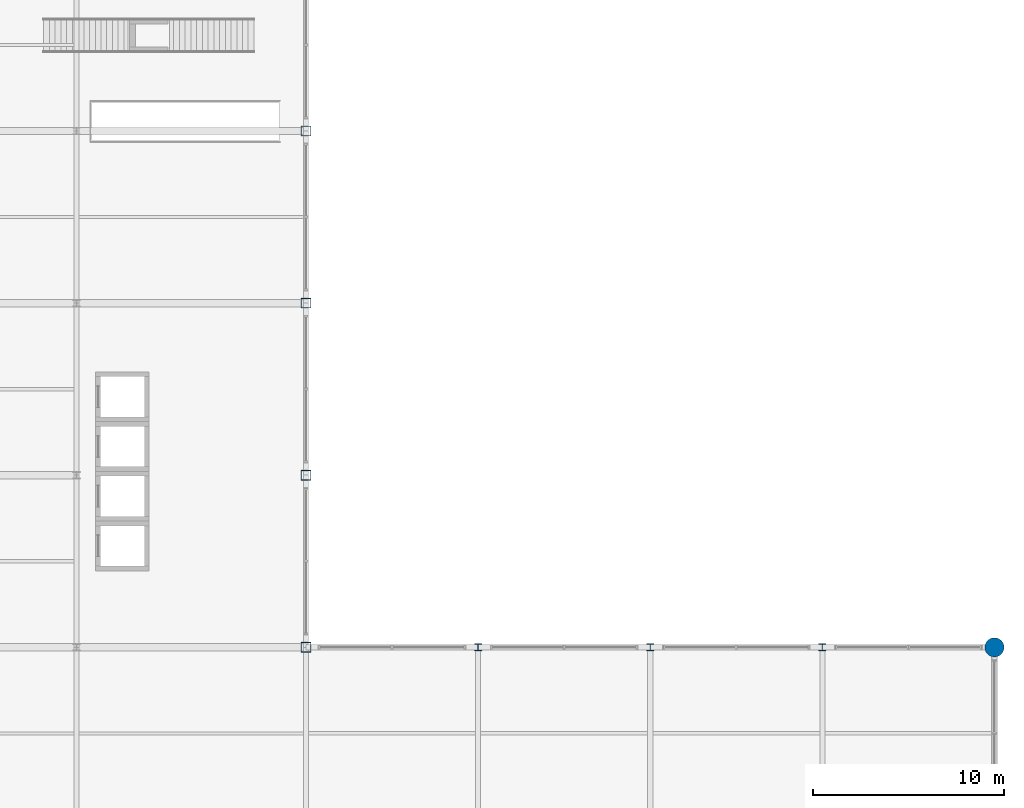
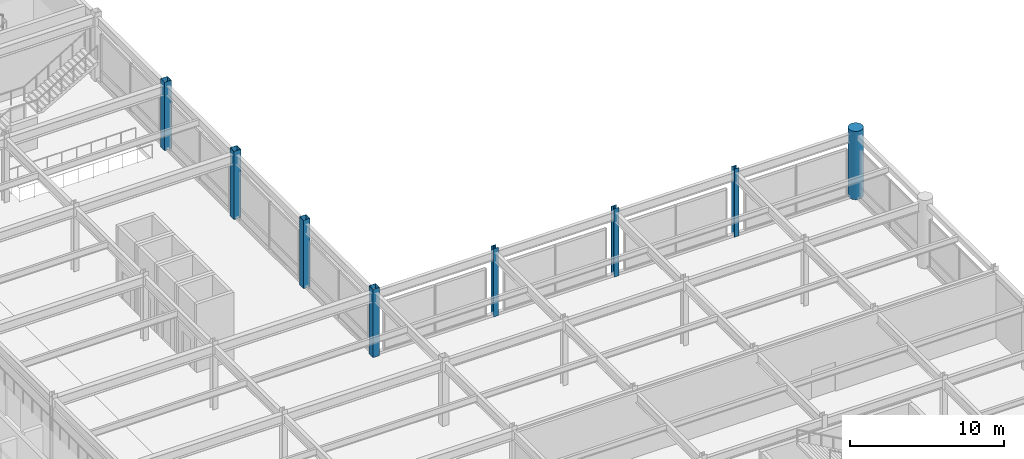
# One storey, part 16 of 100: 8 columns.
"""IFC4 building model written with IfcOpenShell, lengths in metres."""

from ifc_helpers import new_model, si_unit, direction, frame, origin, origin_2d, place, context, subcontext, project, spatial, hollow_rectangle, circle, i_section, extrude, material, material_profile, profile_set, type_object, element, save


model = new_model("IFC4")

# Units and contexts
model_context = context("Model", 3, precision=1e-05, world=origin(), true_north=direction((0.0, 1.0)))
body_context = subcontext(model_context, "Body", "Model", "MODEL_VIEW")
ifc_project = project(units=[si_unit("LENGTHUNIT", "METRE"), si_unit("AREAUNIT", "SQUARE_METRE"), si_unit("VOLUMEUNIT", "CUBIC_METRE"), si_unit("PLANEANGLEUNIT", "RADIAN"), si_unit("MASSUNIT", "GRAM", prefix="KILO")], contexts=[model_context])

# Site, building, storey
site_placement = place(None, origin())
site = spatial("IfcSite", under=ifc_project, at=site_placement, CompositionType="ELEMENT")
building_placement = place(site_placement, origin())
building = spatial("IfcBuilding", under=site, at=building_placement, Name="Kaldorvane Square Convention Centre", CompositionType="ELEMENT")
storey_placement = place(building_placement, frame((0.0, 0.0, 18.0)))
storey = spatial("IfcBuildingStorey", under=building, at=storey_placement, Name="L03", CompositionType="ELEMENT", Elevation=18.0)

# Columns
ifc_material_1 = material(Name="Steel ASTM A500 Gr. C", Category="steel")
ifc_material_profile_1 = material_profile(ifc_material_1, hollow_rectangle(XDim=0.50799560546875, YDim=0.50799560546875, WallThickness=0.014801025390625, at=origin_2d()), Name="HSS20X20X5/8")
ifc_profile_set_1 = profile_set([ifc_material_profile_1], Name="Steel ASTM A500 Gr. C")
column_type_1 = type_object("IfcColumnType", Name="COL-HSS-20", PredefinedType="COLUMN", material=ifc_profile_set_1)
for number, where, z_axis, x_axis, name in (
    (1, (138.0, 36.0, 0.0), (0.0, 0.0, 1.0), (1.0, 0.0, 0.0), "Column SC-13 (L03)"),
    (2, (138.0, 45.0, 0.0), (0.0, 0.0, 1.0), (1.0, 0.0, 0.0), "Column SC-13 (L03)"),
    (3, (138.0, 54.0, 0.0), (0.0, 0.0, 1.0), (1.0, 0.0, 0.0), "Column SC-13 (L03)"),
    (4, (138.0, 63.0, 0.0), (0.0, 0.0, 1.0), (1.0, 0.0, 0.0), "Column SC-13 (L03)"),
):
    element("IfcColumn", number, at=place(storey_placement, frame(where, z_axis=z_axis, x_axis=x_axis)), inside=storey, type_object=column_type_1, Name=name, PredefinedType="COLUMN", context=body_context, shape_type="SweptSolid", body=[
        extrude(hollow_rectangle(XDim=0.50799560546875, YDim=0.50799560546875, WallThickness=0.014801025390625, at=origin_2d()), origin(), (0.0, 0.0, 1.0), 5.399993896484375),
    ])
ifc_material_2 = material(Name="Concrete f'c = 55 MPa (Normalweight)", Category="concrete")
ifc_material_profile_2 = material_profile(ifc_material_2, circle(Radius=0.5, at=origin_2d()), Name="RC-D1000")
ifc_profile_set_2 = profile_set([ifc_material_profile_2], Name="Concrete f'c = 55 MPa (Normalweight)")
column_type_2 = type_object("IfcColumnType", Name="COL-RC-D1000", PredefinedType="COLUMN", material=ifc_profile_set_2)
column_placement = place(storey_placement, frame((174.0, 36.0, 0.0), z_axis=(0.0, 0.0, 1.0), x_axis=(1.0, 0.0, 0.0)))
element("IfcColumn", 5, at=column_placement, inside=storey, type_object=column_type_2, Name="Column CC-08 (L03)", PredefinedType="COLUMN", context=body_context, shape_type="SweptSolid", body=[
    extrude(circle(Radius=0.5, at=origin_2d()), origin(), (0.0, 0.0, 1.0), 5.399993896484375),
])
ifc_material_3 = material(Name="Steel ASTM A992 Gr. 50", Category="steel")
ifc_material_profile_3 = material_profile(ifc_material_3, i_section(OverallWidth=0.3701019287109375, OverallDepth=0.360198974609375, WebThickness=0.012298583984375, FlangeThickness=0.019805908203125, FilletRadius=0.0305023193359375, at=origin_2d()), Name="W14X99")
ifc_profile_set_3 = profile_set([ifc_material_profile_3], Name="Steel ASTM A992 Gr. 50")
column_type_3 = type_object("IfcColumnType", Name="COL-STL-99", PredefinedType="COLUMN", material=ifc_profile_set_3)
for number, where, z_axis, x_axis, name in (
    (6, (147.0, 36.0, 0.0), (0.0, 0.0, 1.0), (1.0, 0.0, 0.0), "Column SC-12 (L03)"),
    (7, (156.0, 36.0, 0.0), (0.0, 0.0, 1.0), (1.0, 0.0, 0.0), "Column SC-12 (L03)"),
    (8, (165.0, 36.0, 0.0), (0.0, 0.0, 1.0), (1.0, 0.0, 0.0), "Column SC-12 (L03)"),
):
    element("IfcColumn", number, at=place(storey_placement, frame(where, z_axis=z_axis, x_axis=x_axis)), inside=storey, type_object=column_type_3, Name=name, PredefinedType="COLUMN", context=body_context, shape_type="SweptSolid", body=[
        extrude(i_section(OverallWidth=0.3701019287109375, OverallDepth=0.360198974609375, WebThickness=0.012298583984375, FlangeThickness=0.019805908203125, FilletRadius=0.0305023193359375, at=origin_2d()), origin(), (0.0, 0.0, 1.0), 5.399993896484375),
    ])

save(model, "model.ifc")
